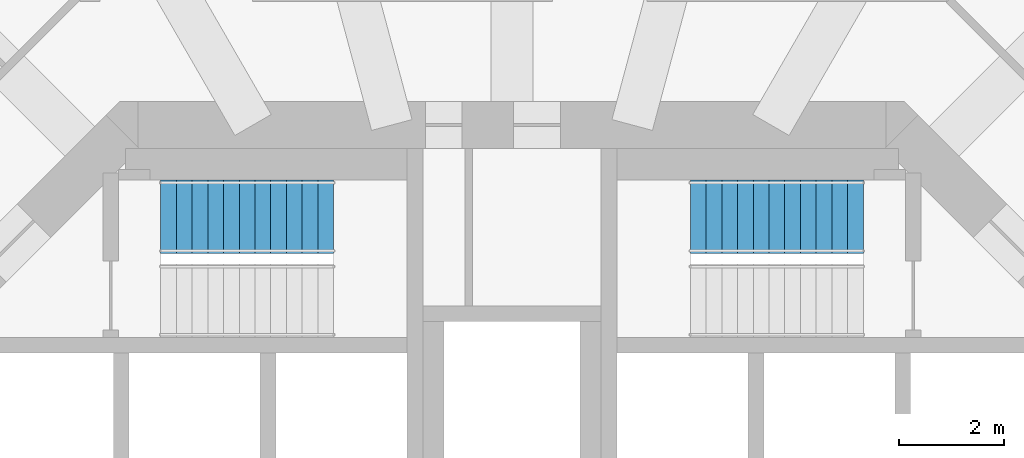
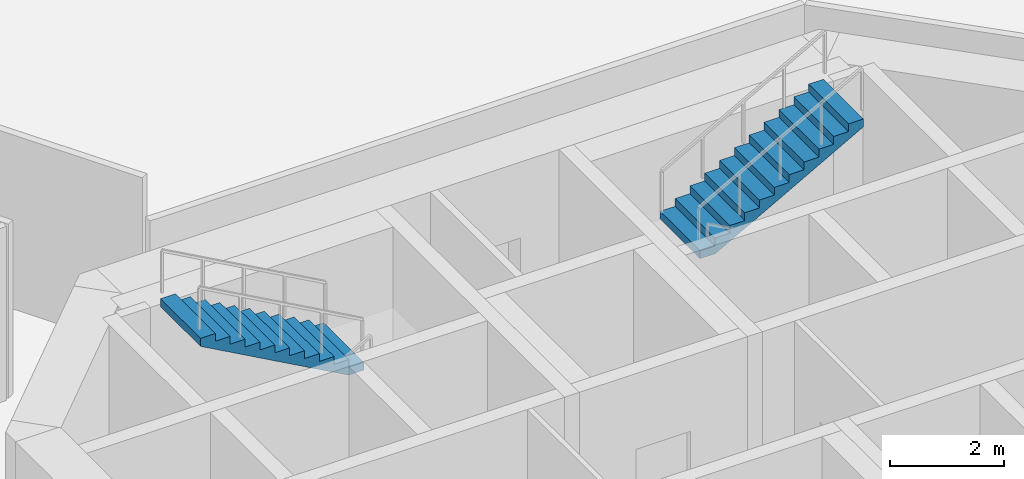
# One storey, part 7 of 9: 2 stair flights, 2 elements without a shape of their own.
"""IFC4 building model written with IfcOpenShell, lengths in metres."""

from ifc_helpers import new_model, si_unit, direction, frame, origin, place, context, subcontext, project, spatial, polyline, outline, extrude, material, type_object, element, aggregate, save


model = new_model("IFC4")

# Units and contexts
model_context = context("Model", 3, precision=1e-05, world=origin(), true_north=direction((0.0, 1.0)))
body_context = subcontext(model_context, "Body", "Model", "MODEL_VIEW")
ifc_project = project(units=[si_unit("LENGTHUNIT", "METRE"), si_unit("AREAUNIT", "SQUARE_METRE"), si_unit("VOLUMEUNIT", "CUBIC_METRE"), si_unit("PLANEANGLEUNIT", "RADIAN"), si_unit("MASSUNIT", "GRAM", prefix="KILO")], contexts=[model_context])

# Site, building, storey
site_placement = place(None, origin())
site = spatial("IfcSite", under=ifc_project, at=site_placement, CompositionType="ELEMENT")
building_placement = place(site_placement, origin())
building = spatial("IfcBuilding", under=site, at=building_placement, Name="Torre Triforio", CompositionType="ELEMENT")
storey_placement = place(building_placement, frame((0.0, 0.0, 63.0)))
storey = spatial("IfcBuildingStorey", under=building, at=storey_placement, Name="L13", CompositionType="ELEMENT", Elevation=63.0)

# Stair, stair flight
ifc_material = material(Name="Concrete C40", Category="concrete")
stair_type = type_object("IfcStairType", Name="STAIR HALF-TURN", PredefinedType="HALF_TURN_STAIR", material=ifc_material)
stair_1_placement = place(storey_placement, origin())
stair_1 = element("IfcStair", 1, at=stair_1_placement, inside=storey, type_object=stair_type, Name="Exit stair 1", PredefinedType="HALF_TURN_STAIR")
stair_flight_type = type_object("IfcStairFlightType", Name="STAIR FLIGHT 1400", PredefinedType="STRAIGHT", material=ifc_material)
stair_flight_1_placement = place(storey_placement, frame((-3.39990234375, 6.800048828125, 2.0), z_axis=(0.0, 0.0, 1.0), x_axis=(-1.0, 0.0, 0.0)))
stair_flight_1 = element("IfcStairFlight", 2, at=stair_flight_1_placement, type_object=stair_flight_type, Name="ST1 flight 2", NumberOfRisers=12, NumberOfTreads=11, PredefinedType="STRAIGHT", RiserHeight=0.166666667, TreadLength=0.3, context=body_context, shape_type="SweptSolid", body=[
    extrude(outline(polyline([(0.0, 0.0), (0.0, 0.166748046875), (0.300048828125, 0.166748046875), (0.300048828125, 0.333251953125), (0.60009765625, 0.333251953125), (0.60009765625, 0.5), (0.89990234375, 0.5), (0.89990234375, 0.666748046875), (1.199951171875, 0.666748046875), (1.199951171875, 0.833251953125), (1.5, 0.833251953125), (1.5, 1.0), (1.800048828125, 1.0), (1.800048828125, 1.166748046875), (2.10009765625, 1.166748046875), (2.10009765625, 1.333251953125), (2.39990234375, 1.333251953125), (2.39990234375, 1.5), (2.699951171875, 1.5), (2.699951171875, 1.666748046875), (3.0, 1.666748046875), (3.0, 1.833251953125), (3.300048828125, 1.833251953125), (3.300048828125, 2.0), (3.300048828125, 1.661865234375), (0.30859375, 0.0), (0.0, 0.0)])), frame((0.0, 0.699951171875, 0.0), z_axis=(0.0, -1.0, 0.0), x_axis=(1.0, 0.0, 0.0)), (0.0, 0.0, 1.0), 1.39990234375),
])
aggregate(stair_1, [stair_flight_1])

stair_2_placement = place(storey_placement, origin())
stair_2 = element("IfcStair", 3, at=stair_2_placement, inside=storey, type_object=stair_type, Name="Exit stair 2", PredefinedType="HALF_TURN_STAIR")
stair_flight_2_placement = place(storey_placement, frame((3.39990234375, 6.800048828125, 2.0), z_axis=(0.0, 0.0, 1.0), x_axis=(1.0, 0.0, 0.0)))
stair_flight_2 = element("IfcStairFlight", 4, at=stair_flight_2_placement, type_object=stair_flight_type, Name="ST2 flight 2", NumberOfRisers=12, NumberOfTreads=11, PredefinedType="STRAIGHT", RiserHeight=0.166666667, TreadLength=0.3, context=body_context, shape_type="SweptSolid", body=[
    extrude(outline(polyline([(0.0, 0.0), (0.0, 0.166748046875), (0.300048828125, 0.166748046875), (0.300048828125, 0.333251953125), (0.60009765625, 0.333251953125), (0.60009765625, 0.5), (0.89990234375, 0.5), (0.89990234375, 0.666748046875), (1.199951171875, 0.666748046875), (1.199951171875, 0.833251953125), (1.5, 0.833251953125), (1.5, 1.0), (1.800048828125, 1.0), (1.800048828125, 1.166748046875), (2.10009765625, 1.166748046875), (2.10009765625, 1.333251953125), (2.39990234375, 1.333251953125), (2.39990234375, 1.5), (2.699951171875, 1.5), (2.699951171875, 1.666748046875), (3.0, 1.666748046875), (3.0, 1.833251953125), (3.300048828125, 1.833251953125), (3.300048828125, 2.0), (3.300048828125, 1.661865234375), (0.30859375, 0.0), (0.0, 0.0)])), frame((0.0, 0.699951171875, 0.0), z_axis=(0.0, -1.0, 0.0), x_axis=(1.0, 0.0, 0.0)), (0.0, 0.0, 1.0), 1.39990234375),
])
aggregate(stair_2, [stair_flight_2])

save(model, "model.ifc")
